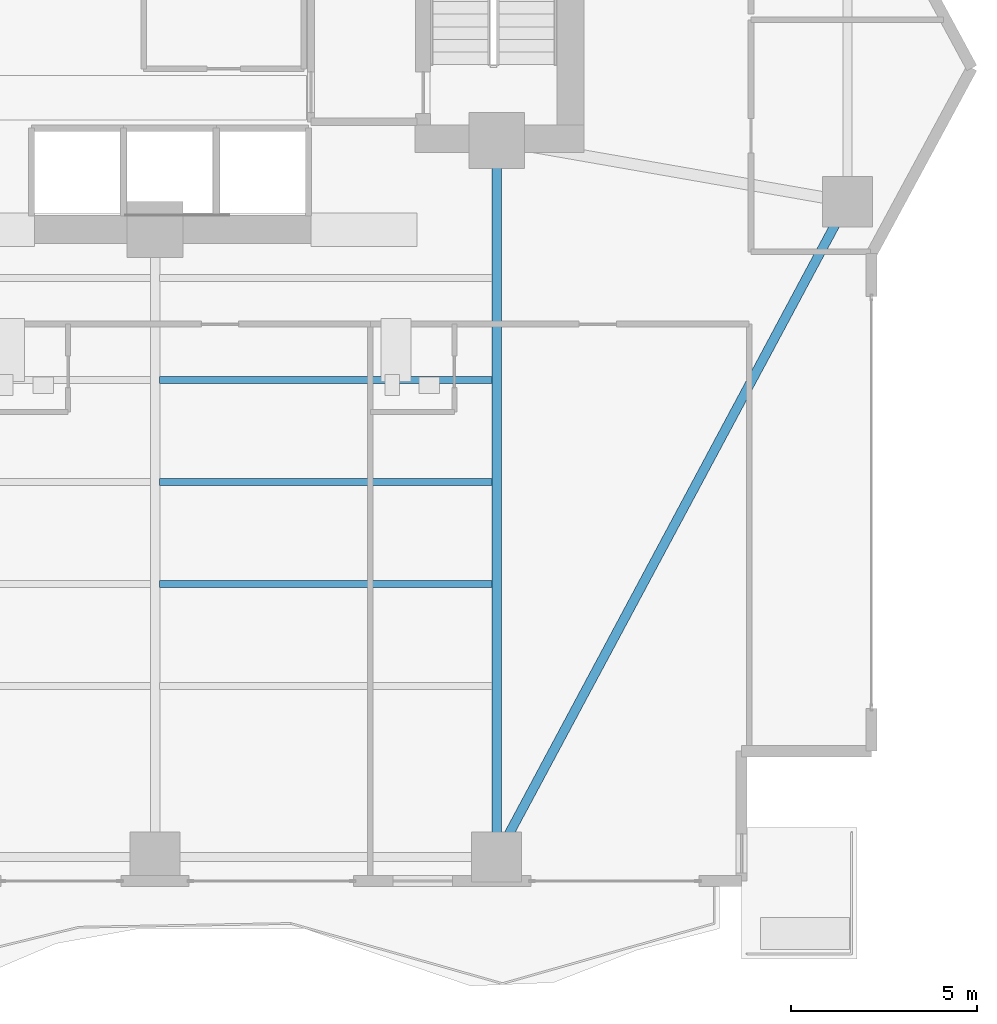
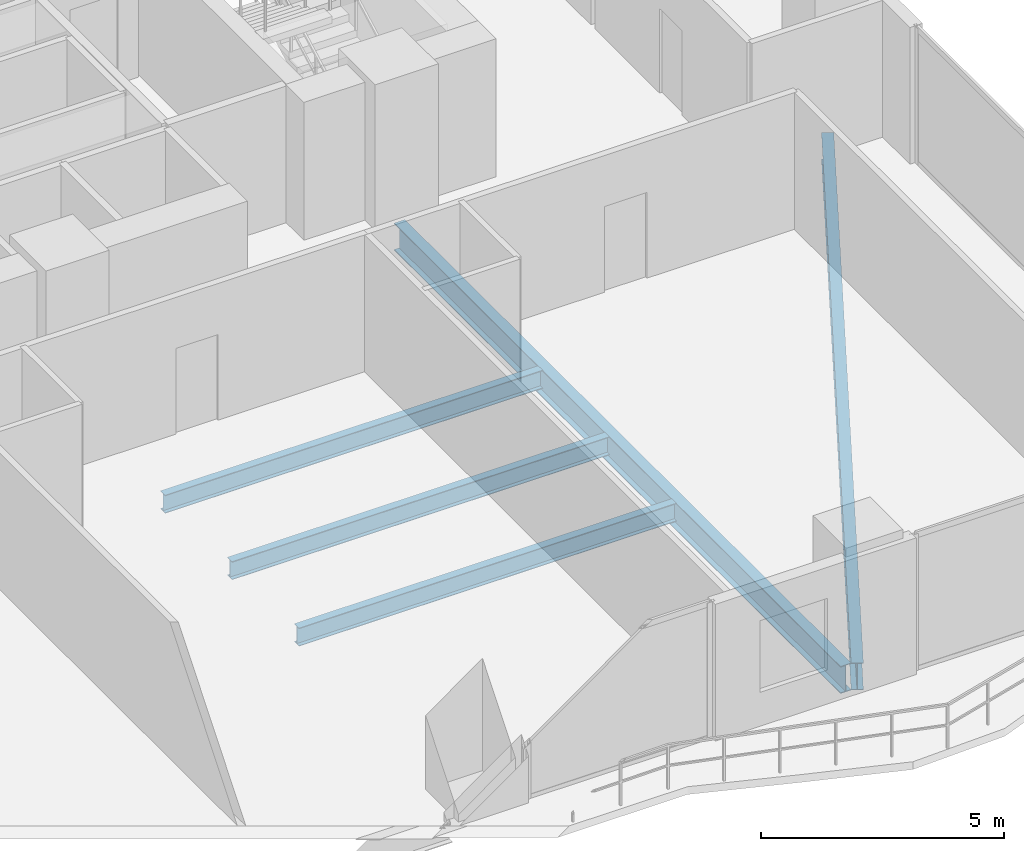
# One storey, part 10 of 29: 5 beams.
"""IFC4 building model written with IfcOpenShell, lengths in metres."""

from ifc_helpers import new_model, si_unit, direction, frame, origin, origin_2d, place, context, subcontext, project, spatial, i_section, extrude, material, material_profile, profile_set, type_object, element, save


model = new_model("IFC4")

# Units and contexts
model_context = context("Model", 3, precision=1e-05, world=origin(), true_north=direction((0.0, 1.0)))
body_context = subcontext(model_context, "Body", "Model", "MODEL_VIEW")
ifc_project = project(units=[si_unit("LENGTHUNIT", "METRE"), si_unit("AREAUNIT", "SQUARE_METRE"), si_unit("VOLUMEUNIT", "CUBIC_METRE"), si_unit("PLANEANGLEUNIT", "RADIAN"), si_unit("MASSUNIT", "GRAM", prefix="KILO")], contexts=[model_context])

# Site, building, storey
site_placement = place(None, origin())
site = spatial("IfcSite", under=ifc_project, at=site_placement, CompositionType="ELEMENT")
building_placement = place(site_placement, origin())
building = spatial("IfcBuilding", under=site, at=building_placement, Name="Zuhayl Quay Hotel", CompositionType="ELEMENT")
storey_placement = place(building_placement, frame((0.0, 0.0, 132.14990234375)))
storey = spatial("IfcBuildingStorey", under=building, at=storey_placement, Name="L33", CompositionType="ELEMENT", Elevation=132.14990234375)

# Beams
ifc_material = material(Name="Steel ASTM A992 Grade 50", Category="steel")
ifc_material_profile_1 = material_profile(ifc_material, i_section(OverallWidth=0.25390625, OverallDepth=0.68310546875, WebThickness=0.012451171875, FlangeThickness=0.018798828125, at=origin_2d()), Name="W27X94")
ifc_profile_set_1 = profile_set([ifc_material_profile_1], Name="Steel ASTM A992 Grade 50")
beam_type_1 = type_object("IfcBeamType", Name="BM_B2_W27X94", PredefinedType="BEAM", material=ifc_profile_set_1)
beam_1_placement = place(storey_placement, frame((14.035888671875, -14.30908203125, -0.5615234375), z_axis=(0.472017301959, 0.88158928456, 0.0), x_axis=(-0.88158928456, 0.472017301959, 0.0)))
element("IfcBeam", 1, at=beam_1_placement, inside=storey, type_object=beam_type_1, Name="L33 Floor Beam RG_L33_04", PredefinedType="BEAM", context=body_context, shape_type="SweptSolid", body=[
    extrude(i_section(OverallWidth=0.25390625, OverallDepth=0.68310546875, WebThickness=0.012451171875, FlangeThickness=0.018798828125, at=origin_2d()), origin(), (0.0, 0.0, 1.0), 19.0205078125),
])
beam_2_placement = place(storey_placement, frame((13.800048828125, -14.25, -0.5615234375), z_axis=(0.0, 1.0, 0.0), x_axis=(-1.0, 0.0, 0.0)))
element("IfcBeam", 2, at=beam_2_placement, inside=storey, type_object=beam_type_1, Name="L33 Floor Beam FG_S_L33_4", PredefinedType="BEAM", context=body_context, shape_type="SweptSolid", body=[
    extrude(i_section(OverallWidth=0.25390625, OverallDepth=0.68310546875, WebThickness=0.012451171875, FlangeThickness=0.018798828125, at=origin_2d()), origin(), (0.0, 0.0, 1.0), 18.35009765625),
])
ifc_material_profile_2 = material_profile(ifc_material, i_section(OverallWidth=0.18994140625, OverallDepth=0.45703125, WebThickness=0.009033203125, FlangeThickness=0.014404296875, at=origin_2d()), Name="W18X50")
ifc_profile_set_2 = profile_set([ifc_material_profile_2], Name="Steel ASTM A992 Grade 50")
beam_type_2 = type_object("IfcBeamType", Name="BM_J2_W18X50", PredefinedType="JOIST", material=ifc_profile_set_2)
for number, where, z_axis, x_axis, name in (
    (3, (4.718994140625, -7.39990234375, -0.448486328125), (1.0, 0.0, 0.0), (0.0, 1.0, 0.0), "L33 Floor Beam FJ_L33_6_3"),
    (4, (4.718994140625, -4.64990234375, -0.448486328125), (1.0, 0.0, 0.0), (0.0, 1.0, 0.0), "L33 Floor Beam FJ_L33_7_3"),
    (5, (4.718994140625, -1.89990234375, -0.448486328125), (1.0, 0.0, 0.0), (0.0, 1.0, 0.0), "L33 Floor Beam FJ_L33_8_3"),
):
    element("IfcBeam", number, at=place(storey_placement, frame(where, z_axis=z_axis, x_axis=x_axis)), inside=storey, type_object=beam_type_2, Name=name, PredefinedType="JOIST", context=body_context, shape_type="SweptSolid", body=[
        extrude(i_section(OverallWidth=0.18994140625, OverallDepth=0.45703125, WebThickness=0.009033203125, FlangeThickness=0.014404296875, at=origin_2d()), origin(), (0.0, 0.0, 1.0), 8.9619140625),
    ])

save(model, "model.ifc")
